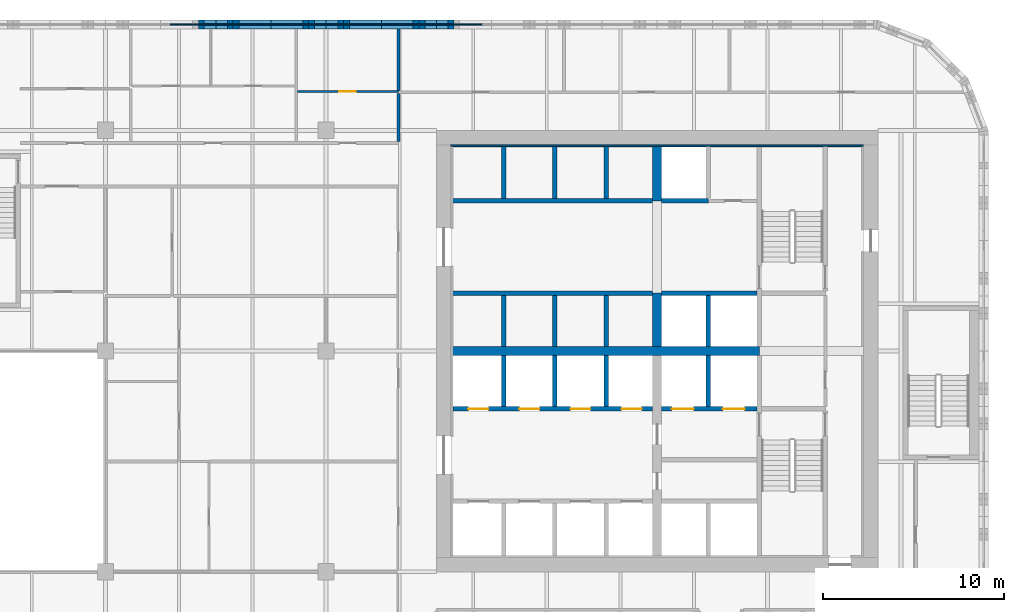
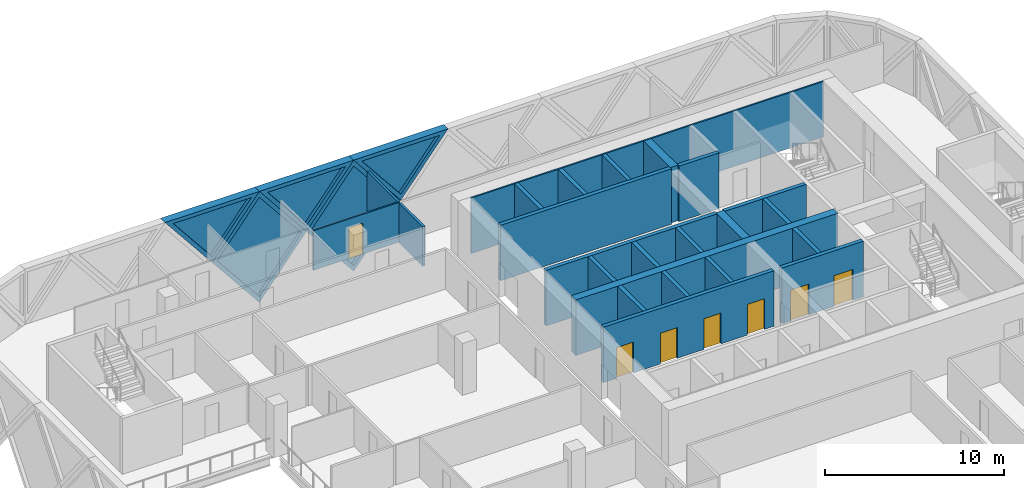
# One storey, part 12 of 24: 29 walls, 7 doors, 5 plates, 12 openings.
"""IFC4 building model written with IfcOpenShell, lengths in metres."""

from ifc_helpers import new_model, si_unit, direction, frame, frame_2d, origin, place, context, subcontext, project, spatial, polyline, rectangle, outline, extrude, faceted_brep, source, transform, mapped, material, layer, layer_set, type_object, element, fill, save


model = new_model("IFC4")

# Units and contexts
model_context = context("Model", 3, precision=1e-05, world=origin(), true_north=direction((0.0, 1.0)))
body_context = subcontext(model_context, "Body", "Model", "MODEL_VIEW")
ifc_project = project(units=[si_unit("LENGTHUNIT", "METRE"), si_unit("AREAUNIT", "SQUARE_METRE"), si_unit("VOLUMEUNIT", "CUBIC_METRE"), si_unit("PLANEANGLEUNIT", "RADIAN"), si_unit("MASSUNIT", "GRAM", prefix="KILO")], contexts=[model_context])

# Site, building, storey
site_placement = place(None, origin())
site = spatial("IfcSite", under=ifc_project, at=site_placement, CompositionType="ELEMENT")
building_placement = place(site_placement, origin())
building = spatial("IfcBuilding", under=site, at=building_placement, Name="Tessera Gate Towers", CompositionType="ELEMENT")
storey_placement = place(building_placement, frame((0.0, 0.0, 102.800048828125)))
storey = spatial("IfcBuildingStorey", under=building, at=storey_placement, Name="L25", CompositionType="ELEMENT", Elevation=102.800048828125)

# Wall, openings, doors
ifc_material_1 = material(Name="Concrete C40/50", Category="concrete")
ifc_layer_1 = layer(ifc_material_1, 0.25)
ifc_layer_set_1 = layer_set([ifc_layer_1], Name="CORE ENCLOSURE WALL 250")
wall_type_1 = type_object("IfcWallType", Name="CORE ENCLOSURE WALL 250", PredefinedType="SOLIDWALL", material=ifc_layer_set_1)
wall_1_placement = place(storey_placement, frame((42.449951171875, 33.39990234375, 0.0), z_axis=(0.0, 0.0, 1.0), x_axis=(-1.0, 0.0, 0.0)))
wall_1 = element("IfcWall", 1, at=wall_1_placement, inside=storey, type_object=wall_type_1, Name="L25 shaft and stair enclosure wall", PredefinedType="SOLIDWALL", context=body_context, shape_type="SweptSolid", body=[
    extrude(rectangle(XDim=11.050048828125, YDim=0.25, at=frame_2d((5.52490234375, 0.0))), origin(), (0.0, 0.0, 1.0), 3.800048828125),
])
shared_shape_1 = source(origin(), body_context, "Body", "SweptSolid", [
    extrude(rectangle(XDim=1.10009765625, YDim=2.10009765625, at=frame_2d((0.550048828125, 1.050048828125))), frame((0.0, 0.135009765625, 0.0), z_axis=(0.0, -1.0, 0.0), x_axis=(1.0, 0.0, 0.0)), (0.0, 0.0, 1.0), 0.27001953125),
])
opening_1_placement = place(wall_1_placement, frame((9.08740234375, 0.0, 0.0)))
opening_1 = element("IfcOpeningElement", 2, at=opening_1_placement, cuts=wall_1, Name="Opening LD-LR5", PredefinedType="OPENING", context=body_context, shape_type="MappedRepresentation", body=[
    mapped(shared_shape_1, transform((0.0, 0.0, 0.0), scale=1.0)),
])
opening_2_placement = place(wall_1_placement, frame((6.262451171875, 0.0, 0.0)))
opening_2 = element("IfcOpeningElement", 3, at=opening_2_placement, cuts=wall_1, Name="Opening LD-LR6", PredefinedType="OPENING", context=body_context, shape_type="MappedRepresentation", body=[
    mapped(shared_shape_1, transform((0.0, 0.0, 0.0), scale=1.0)),
])
opening_3_placement = place(wall_1_placement, frame((3.4375, 0.0, 0.0)))
opening_3 = element("IfcOpeningElement", 4, at=opening_3_placement, cuts=wall_1, Name="Opening LD-LR7", PredefinedType="OPENING", context=body_context, shape_type="MappedRepresentation", body=[
    mapped(shared_shape_1, transform((0.0, 0.0, 0.0), scale=1.0)),
])
opening_4_placement = place(wall_1_placement, frame((0.612548828125, 0.0, 0.0)))
opening_4 = element("IfcOpeningElement", 5, at=opening_4_placement, cuts=wall_1, Name="Opening LD-LR8", PredefinedType="OPENING", context=body_context, shape_type="MappedRepresentation", body=[
    mapped(shared_shape_1, transform((0.0, 0.0, 0.0), scale=1.0)),
])
ifc_material_2 = material(Name="Stainless steel", Category="steel")
door_type_1 = type_object("IfcDoorType", Name="CORE DOOR LD 1100x2100", OperationType="DOUBLE_DOOR_SLIDING", PredefinedType="DOOR", material=ifc_material_2)
shared_shape_2 = source(origin(), body_context, "Body", "SweptSolid", [
    extrude(rectangle(XDim=1.10009765625, YDim=2.10009765625, at=frame_2d((0.550048828125, 1.050048828125))), frame((0.0, 0.02490234375, 0.0), z_axis=(0.0, -1.0, 0.0), x_axis=(1.0, 0.0, 0.0)), (0.0, 0.0, 1.0), 0.050048828125),
])
door_1_placement = place(opening_1_placement, origin())
door_1 = element("IfcDoor", 6, at=door_1_placement, inside=storey, type_object=door_type_1, Name="Landing door LR5 L25", OperationType="DOUBLE_DOOR_SLIDING", OverallHeight=2.10009765625, OverallWidth=1.10009765625, PredefinedType="DOOR", context=body_context, shape_type="MappedRepresentation", body=[
    mapped(shared_shape_2, transform((0.0, 0.0, 0.0), scale=1.0)),
])
fill(opening_1, door_1)
door_2_placement = place(opening_2_placement, origin())
door_2 = element("IfcDoor", 7, at=door_2_placement, inside=storey, type_object=door_type_1, Name="Landing door LR6 L25", OperationType="DOUBLE_DOOR_SLIDING", OverallHeight=2.10009765625, OverallWidth=1.10009765625, PredefinedType="DOOR", context=body_context, shape_type="MappedRepresentation", body=[
    mapped(shared_shape_2, transform((0.0, 0.0, 0.0), scale=1.0)),
])
fill(opening_2, door_2)
door_3_placement = place(opening_3_placement, origin())
door_3 = element("IfcDoor", 8, at=door_3_placement, inside=storey, type_object=door_type_1, Name="Landing door LR7 L25", OperationType="DOUBLE_DOOR_SLIDING", OverallHeight=2.10009765625, OverallWidth=1.10009765625, PredefinedType="DOOR", context=body_context, shape_type="MappedRepresentation", body=[
    mapped(shared_shape_2, transform((0.0, 0.0, 0.0), scale=1.0)),
])
fill(opening_3, door_3)
door_4_placement = place(opening_4_placement, origin())
door_4 = element("IfcDoor", 9, at=door_4_placement, inside=storey, type_object=door_type_1, Name="Landing door LR8 L25", OperationType="DOUBLE_DOOR_SLIDING", OverallHeight=2.10009765625, OverallWidth=1.10009765625, PredefinedType="DOOR", context=body_context, shape_type="MappedRepresentation", body=[
    mapped(shared_shape_2, transform((0.0, 0.0, 0.0), scale=1.0)),
])
fill(opening_4, door_4)

wall_2_placement = place(storey_placement, frame((48.22509765625, 33.39990234375, 0.0), z_axis=(0.0, 0.0, 1.0), x_axis=(-1.0, 0.0, 0.0)))
wall_2 = element("IfcWall", 10, at=wall_2_placement, inside=storey, type_object=wall_type_1, Name="L25 shaft and stair enclosure wall", PredefinedType="SOLIDWALL", context=body_context, shape_type="SweptSolid", body=[
    extrude(rectangle(XDim=5.275146484375, YDim=0.25, at=frame_2d((2.6376953125, 0.0))), origin(), (0.0, 0.0, 1.0), 3.800048828125),
])
shared_shape_3 = source(origin(), body_context, "Body", "SweptSolid", [
    extrude(rectangle(XDim=1.199951171875, YDim=2.10009765625, at=frame_2d((0.60009765625, 1.050048828125))), frame((0.0, 0.135009765625, 0.0), z_axis=(0.0, -1.0, 0.0), x_axis=(1.0, 0.0, 0.0)), (0.0, 0.0, 1.0), 0.27001953125),
])
opening_5_placement = place(wall_2_placement, frame((3.512451171875, 0.0, 0.0)))
opening_5 = element("IfcOpeningElement", 11, at=opening_5_placement, cuts=wall_2, Name="Opening LD-FF1", PredefinedType="OPENING", context=body_context, shape_type="MappedRepresentation", body=[
    mapped(shared_shape_3, transform((0.0, 0.0, 0.0), scale=1.0)),
])
opening_6_placement = place(wall_2_placement, frame((0.6875, 0.0, 0.0)))
opening_6 = element("IfcOpeningElement", 12, at=opening_6_placement, cuts=wall_2, Name="Opening LD-FF2", PredefinedType="OPENING", context=body_context, shape_type="MappedRepresentation", body=[
    mapped(shared_shape_3, transform((0.0, 0.0, 0.0), scale=1.0)),
])
ifc_material_3 = material(Name="Stainless steel", Category="steel")
door_type_2 = type_object("IfcDoorType", Name="CORE DOOR LD1200 1200x2100", OperationType="DOUBLE_DOOR_SLIDING", PredefinedType="DOOR", material=ifc_material_3)
shared_shape_4 = source(origin(), body_context, "Body", "SweptSolid", [
    extrude(rectangle(XDim=1.199951171875, YDim=2.10009765625, at=frame_2d((0.60009765625, 1.050048828125))), frame((0.0, 0.02490234375, 0.0), z_axis=(0.0, -1.0, 0.0), x_axis=(1.0, 0.0, 0.0)), (0.0, 0.0, 1.0), 0.050048828125),
])
door_5_placement = place(opening_5_placement, origin())
door_5 = element("IfcDoor", 13, at=door_5_placement, inside=storey, type_object=door_type_2, Name="Landing door FF1 L25", OperationType="DOUBLE_DOOR_SLIDING", OverallHeight=2.10009765625, OverallWidth=1.199951171875, PredefinedType="DOOR", context=body_context, shape_type="MappedRepresentation", body=[
    mapped(shared_shape_4, transform((0.0, 0.0, 0.0), scale=1.0)),
])
fill(opening_5, door_5)
door_6_placement = place(opening_6_placement, origin())
door_6 = element("IfcDoor", 14, at=door_6_placement, inside=storey, type_object=door_type_2, Name="Landing door FF2 L25", OperationType="DOUBLE_DOOR_SLIDING", OverallHeight=2.10009765625, OverallWidth=1.199951171875, PredefinedType="DOOR", context=body_context, shape_type="MappedRepresentation", body=[
    mapped(shared_shape_4, transform((0.0, 0.0, 0.0), scale=1.0)),
])
fill(opening_6, door_6)

# Walls
wall_3_placement = place(storey_placement, frame((31.39990234375, 39.800048828125, 0.0), z_axis=(0.0, 0.0, 1.0), x_axis=(1.0, 0.0, 0.0)))
element("IfcWall", 15, at=wall_3_placement, inside=storey, type_object=wall_type_1, Name="L25 shaft and stair enclosure wall", PredefinedType="SOLIDWALL", context=body_context, shape_type="SweptSolid", body=[
    extrude(rectangle(XDim=11.050048828125, YDim=0.25, at=frame_2d((5.52490234375, 0.0))), origin(), (0.0, 0.0, 1.0), 3.800048828125),
])
wall_4_placement = place(storey_placement, frame((42.949951171875, 39.800048828125, 0.0), z_axis=(0.0, 0.0, 1.0), x_axis=(1.0, 0.0, 0.0)))
element("IfcWall", 16, at=wall_4_placement, inside=storey, type_object=wall_type_1, Name="L25 shaft and stair enclosure wall", PredefinedType="SOLIDWALL", context=body_context, shape_type="SweptSolid", body=[
    extrude(rectangle(XDim=5.275146484375, YDim=0.25, at=frame_2d((2.6376953125, 0.0))), origin(), (0.0, 0.0, 1.0), 3.800048828125),
])
wall_5_placement = place(storey_placement, frame((31.39990234375, 44.89990234375, 0.0), z_axis=(0.0, 0.0, 1.0), x_axis=(1.0, 0.0, 0.0)))
element("IfcWall", 17, at=wall_5_placement, inside=storey, type_object=wall_type_1, Name="L25 shaft and stair enclosure wall", PredefinedType="SOLIDWALL", context=body_context, shape_type="SweptSolid", body=[
    extrude(rectangle(XDim=11.050048828125, YDim=0.25, at=frame_2d((5.52490234375, 0.0))), origin(), (0.0, 0.0, 1.0), 3.800048828125),
])
wall_6_placement = place(storey_placement, frame((42.949951171875, 44.89990234375, 0.0), z_axis=(0.0, 0.0, 1.0), x_axis=(1.0, 0.0, 0.0)))
element("IfcWall", 18, at=wall_6_placement, inside=storey, type_object=wall_type_1, Name="L25 shaft and stair enclosure wall", PredefinedType="SOLIDWALL", context=body_context, shape_type="SweptSolid", body=[
    extrude(rectangle(XDim=2.574951171875, YDim=0.25, at=frame_2d((1.28759765625, 0.0))), origin(), (0.0, 0.0, 1.0), 3.800048828125),
])
wall_7_placement = place(storey_placement, frame((34.22509765625, 33.52490234375, 0.0), z_axis=(0.0, 0.0, 1.0), x_axis=(0.0, 1.0, 0.0)))
element("IfcWall", 19, at=wall_7_placement, inside=storey, type_object=wall_type_1, Name="L25 shaft and stair enclosure wall", PredefinedType="SOLIDWALL", context=body_context, shape_type="SweptSolid", body=[
    extrude(rectangle(XDim=2.8251953125, YDim=0.25, at=frame_2d((1.41259765625, 0.0))), origin(), (0.0, 0.0, 1.0), 3.800048828125),
])
wall_8_placement = place(storey_placement, frame((34.22509765625, 36.85009765625, 0.0), z_axis=(0.0, 0.0, 1.0), x_axis=(0.0, 1.0, 0.0)))
element("IfcWall", 20, at=wall_8_placement, inside=storey, type_object=wall_type_1, Name="L25 shaft and stair enclosure wall", PredefinedType="SOLIDWALL", context=body_context, shape_type="SweptSolid", body=[
    extrude(rectangle(XDim=2.824951171875, YDim=0.25, at=frame_2d((1.41259765625, 0.0))), origin(), (0.0, 0.0, 1.0), 3.800048828125),
])
wall_9_placement = place(storey_placement, frame((37.050048828125, 33.52490234375, 0.0), z_axis=(0.0, 0.0, 1.0), x_axis=(0.0, 1.0, 0.0)))
element("IfcWall", 21, at=wall_9_placement, inside=storey, type_object=wall_type_1, Name="L25 shaft and stair enclosure wall", PredefinedType="SOLIDWALL", context=body_context, shape_type="SweptSolid", body=[
    extrude(rectangle(XDim=2.8251953125, YDim=0.25, at=frame_2d((1.41259765625, 0.0))), origin(), (0.0, 0.0, 1.0), 3.800048828125),
])
wall_10_placement = place(storey_placement, frame((37.050048828125, 36.85009765625, 0.0), z_axis=(0.0, 0.0, 1.0), x_axis=(0.0, 1.0, 0.0)))
element("IfcWall", 22, at=wall_10_placement, inside=storey, type_object=wall_type_1, Name="L25 shaft and stair enclosure wall", PredefinedType="SOLIDWALL", context=body_context, shape_type="SweptSolid", body=[
    extrude(rectangle(XDim=2.824951171875, YDim=0.25, at=frame_2d((1.41259765625, 0.0))), origin(), (0.0, 0.0, 1.0), 3.800048828125),
])
wall_11_placement = place(storey_placement, frame((39.875, 33.52490234375, 0.0), z_axis=(0.0, 0.0, 1.0), x_axis=(0.0, 1.0, 0.0)))
element("IfcWall", 23, at=wall_11_placement, inside=storey, type_object=wall_type_1, Name="L25 shaft and stair enclosure wall", PredefinedType="SOLIDWALL", context=body_context, shape_type="SweptSolid", body=[
    extrude(rectangle(XDim=2.8251953125, YDim=0.25, at=frame_2d((1.41259765625, 0.0))), origin(), (0.0, 0.0, 1.0), 3.800048828125),
])
wall_12_placement = place(storey_placement, frame((39.875, 36.85009765625, 0.0), z_axis=(0.0, 0.0, 1.0), x_axis=(0.0, 1.0, 0.0)))
element("IfcWall", 24, at=wall_12_placement, inside=storey, type_object=wall_type_1, Name="L25 shaft and stair enclosure wall", PredefinedType="SOLIDWALL", context=body_context, shape_type="SweptSolid", body=[
    extrude(rectangle(XDim=2.824951171875, YDim=0.25, at=frame_2d((1.41259765625, 0.0))), origin(), (0.0, 0.0, 1.0), 3.800048828125),
])
wall_13_placement = place(storey_placement, frame((45.52490234375, 33.52490234375, 0.0), z_axis=(0.0, 0.0, 1.0), x_axis=(0.0, 1.0, 0.0)))
element("IfcWall", 25, at=wall_13_placement, inside=storey, type_object=wall_type_1, Name="L25 shaft and stair enclosure wall", PredefinedType="SOLIDWALL", context=body_context, shape_type="SweptSolid", body=[
    extrude(rectangle(XDim=2.8251953125, YDim=0.25, at=frame_2d((1.41259765625, 0.0))), origin(), (0.0, 0.0, 1.0), 3.800048828125),
])
wall_14_placement = place(storey_placement, frame((45.52490234375, 36.85009765625, 0.0), z_axis=(0.0, 0.0, 1.0), x_axis=(0.0, 1.0, 0.0)))
element("IfcWall", 26, at=wall_14_placement, inside=storey, type_object=wall_type_1, Name="L25 shaft and stair enclosure wall", PredefinedType="SOLIDWALL", context=body_context, shape_type="SweptSolid", body=[
    extrude(rectangle(XDim=2.824951171875, YDim=0.25, at=frame_2d((1.41259765625, 0.0))), origin(), (0.0, 0.0, 1.0), 3.800048828125),
])
for number, where, z_axis, x_axis, name in (
    (27, (34.22509765625, 45.02490234375, 0.0), (0.0, 0.0, 1.0), (0.0, 1.0, 0.0), "L25 shaft and stair enclosure wall"),
    (28, (37.050048828125, 45.02490234375, 0.0), (0.0, 0.0, 1.0), (0.0, 1.0, 0.0), "L25 shaft and stair enclosure wall"),
    (29, (39.875, 45.02490234375, 0.0), (0.0, 0.0, 1.0), (0.0, 1.0, 0.0), "L25 shaft and stair enclosure wall"),
):
    element("IfcWall", number, at=place(storey_placement, frame(where, z_axis=z_axis, x_axis=x_axis)), inside=storey, type_object=wall_type_1, Name=name, PredefinedType="SOLIDWALL", context=body_context, shape_type="SweptSolid", body=[
        extrude(rectangle(XDim=2.875, YDim=0.25, at=frame_2d((1.4375, 0.0))), origin(), (0.0, 0.0, 1.0), 3.800048828125),
    ])
ifc_material_4 = material(Name="Concrete C60/75", Category="concrete")
ifc_layer_2 = layer(ifc_material_4, 0.5)
ifc_layer_set_2 = layer_set([ifc_layer_2], Name="CORE SPINE WALL 500 C60/75")
wall_type_2 = type_object("IfcWallType", Name="CORE SPINE WALL 500 C60/75", PredefinedType="SHEAR", material=ifc_layer_set_2)
wall_15_placement = place(storey_placement, frame((31.39990234375, 36.60009765625, 0.0), z_axis=(0.0, 0.0, 1.0), x_axis=(1.0, 0.0, 0.0)))
element("IfcWall", 30, at=wall_15_placement, inside=storey, type_object=wall_type_2, Name="Core wall spine L25", PredefinedType="SHEAR", context=body_context, shape_type="SweptSolid", body=[
    extrude(rectangle(XDim=16.9501953125, YDim=0.5, at=frame_2d((8.47509765625, 0.0))), origin(), (0.0, 0.0, 1.0), 3.800048828125),
])
wall_16_placement = place(storey_placement, frame((42.699951171875, 36.85009765625, 0.0), z_axis=(0.0, 0.0, 1.0), x_axis=(0.0, 1.0, 0.0)))
element("IfcWall", 31, at=wall_16_placement, inside=storey, type_object=wall_type_2, Name="Core wall spine L25", PredefinedType="SHEAR", context=body_context, shape_type="SweptSolid", body=[
    extrude(rectangle(XDim=2.949951171875, YDim=0.5, at=frame_2d((1.47509765625, 0.0))), origin(), (0.0, 0.0, 1.0), 3.800048828125),
])
wall_17_placement = place(storey_placement, frame((42.699951171875, 44.89990234375, 0.0), z_axis=(0.0, 0.0, 1.0), x_axis=(0.0, 1.0, 0.0)))
element("IfcWall", 32, at=wall_17_placement, inside=storey, type_object=wall_type_2, Name="Core wall spine L25", PredefinedType="SHEAR", context=body_context, shape_type="SweptSolid", body=[
    extrude(rectangle(XDim=3.0, YDim=0.5, at=frame_2d((1.5, 0.0))), origin(), (0.0, 0.0, 1.0), 3.800048828125),
])
ifc_material_5 = material(Name="Concrete C60/75", Category="concrete")
ifc_layer_3 = layer(ifc_material_5, 0.10009765625)
ifc_layer_set_3 = layer_set([ifc_layer_3], Name="CORE WALL THICKENING 100")
wall_type_3 = type_object("IfcWallType", Name="CORE WALL THICKENING 100", PredefinedType="SOLIDWALL", material=ifc_layer_set_3)
wall_18_placement = place(storey_placement, frame((31.300048828125, 47.949951171875, 0.0), z_axis=(0.0, 0.0, 1.0), x_axis=(1.0, 0.0, 0.0)))
element("IfcWall", 33, at=wall_18_placement, inside=storey, type_object=wall_type_3, Name="Core wall thickening N L25", PredefinedType="SOLIDWALL", context=body_context, shape_type="SweptSolid", body=[
    extrude(rectangle(XDim=22.800048828125, YDim=0.10009765625, at=frame_2d((11.39990234375, 0.0))), origin(), (0.0, 0.0, 1.0), 3.800048828125),
])
ifc_material_6 = material(Name="Gypsum board on steel studs, mineral wool", Category="steel")
ifc_layer_4 = layer(ifc_material_6, 0.14990234375)
ifc_layer_set_4 = layer_set([ifc_layer_4], Name="CORRIDOR WALL 150")
wall_type_4 = type_object("IfcWallType", Name="CORRIDOR WALL 150", PredefinedType="PARTITIONING", material=ifc_layer_set_4)
wall_19_placement = place(storey_placement, frame((28.39990234375, 48.176025390625, 0.0), z_axis=(0.0, 0.0, 1.0), x_axis=(0.0, 1.0, 0.0)))
element("IfcWall", 34, at=wall_19_placement, inside=storey, type_object=wall_type_4, Name="T1-L25-PW-047", PredefinedType="PARTITIONING", context=body_context, shape_type="SweptSolid", body=[
    extrude(rectangle(XDim=2.64794921875, YDim=0.14990234375, at=frame_2d((1.323974609375, 0.0))), origin(), (0.0, 0.0, 1.0), 2.71484375),
])

# Wall, opening, door
ifc_material_7 = material(Name="Gypsum board on steel studs", Category="steel")
ifc_layer_5 = layer(ifc_material_7, 0.10009765625)
ifc_layer_set_5 = layer_set([ifc_layer_5], Name="PARTITION 100")
wall_type_5 = type_object("IfcWallType", Name="PARTITION 100", PredefinedType="PARTITIONING", material=ifc_layer_set_5)
wall_20_placement = place(storey_placement, frame((22.825927734375, 50.949951171875, 0.0), z_axis=(0.0, 0.0, 1.0), x_axis=(1.0, 0.0, 0.0)))
wall_20 = element("IfcWall", 35, at=wall_20_placement, inside=storey, type_object=wall_type_5, Name="T1-L25-PW-049", PredefinedType="PARTITIONING", context=body_context, shape_type="SweptSolid", body=[
    extrude(rectangle(XDim=5.572998046875, YDim=0.10009765625, at=frame_2d((2.78662109375, 0.0))), origin(), (0.0, 0.0, 1.0), 2.71484375),
])
shared_shape_5 = source(origin(), body_context, "Body", "SweptSolid", [
    extrude(rectangle(XDim=0.89990234375, YDim=2.10009765625, at=frame_2d((0.449951171875, 1.050048828125))), frame((0.0, 0.06005859375, 0.0), z_axis=(0.0, -1.0, 0.0), x_axis=(1.0, 0.0, 0.0)), (0.0, 0.0, 1.0), 0.1201171875),
])
opening_7_placement = place(wall_20_placement, frame((2.300048828125, 0.0, 0.0)))
opening_7 = element("IfcOpeningElement", 36, at=opening_7_placement, cuts=wall_20, Name="Opening D190-A09-06", PredefinedType="OPENING", context=body_context, shape_type="MappedRepresentation", body=[
    mapped(shared_shape_5, transform((0.0, 0.0, 0.0), scale=1.0)),
])
ifc_material_8 = material(Name="Timber door leaf in steel frame", Category="steel")
door_type_3 = type_object("IfcDoorType", Name="INTERNAL DOOR 900 NOT RATED", OperationType="NOTDEFINED", PredefinedType="DOOR", material=ifc_material_8)
shared_shape_6 = source(origin(), body_context, "Body", "SweptSolid", [
    extrude(rectangle(XDim=0.89990234375, YDim=2.10009765625, at=frame_2d((0.449951171875, 1.050048828125))), frame((0.0, 0.02490234375, 0.0), z_axis=(0.0, -1.0, 0.0), x_axis=(1.0, 0.0, 0.0)), (0.0, 0.0, 1.0), 0.050048828125),
])
door_7_placement = place(opening_7_placement, origin())
door_7 = element("IfcDoor", 37, at=door_7_placement, inside=storey, type_object=door_type_3, Name="T1-L25-PD-009", OperationType="SINGLE_SWING_LEFT", OverallHeight=2.10009765625, OverallWidth=0.89990234375, PredefinedType="DOOR", context=body_context, shape_type="MappedRepresentation", body=[
    mapped(shared_shape_6, transform((0.0, 0.0, 0.0), scale=1.0)),
])
fill(opening_7, door_7)

# Wall
ifc_material_9 = material(Name="Gypsum board on steel studs, mineral wool", Category="steel")
ifc_layer_6 = layer(ifc_material_9, 0.14990234375)
ifc_layer_set_6 = layer_set([ifc_layer_6], Name="TENANCY WALL 150")
wall_type_6 = type_object("IfcWallType", Name="TENANCY WALL 150", PredefinedType="PARTITIONING", material=ifc_layer_set_6)
wall_21_placement = place(storey_placement, frame((28.39990234375, 50.97607421875, 0.0), z_axis=(0.0, 0.0, 1.0), x_axis=(0.0, 1.0, 0.0)))
element("IfcWall", 38, at=wall_21_placement, inside=storey, type_object=wall_type_6, Name="T1-L25-PW-050", PredefinedType="PARTITIONING", context=body_context, shape_type="SweptSolid", body=[
    extrude(rectangle(XDim=3.423828125, YDim=0.14990234375, at=frame_2d((1.7119140625, 0.0))), origin(), (0.0, 0.0, 1.0), 2.71484375),
])

# Wall, opening, plate
ifc_material_10 = material(Name="Precast concrete C60/75 white", Category="concrete")
ifc_layer_7 = layer(ifc_material_10, 0.5)
ifc_layer_set_7 = layer_set([ifc_layer_7], Name="TS1 tessera")
wall_type_7 = type_object("IfcWallType", Name="TS1 tessera", PredefinedType="SOLIDWALL", material=ifc_layer_set_7)
shared_shape_7 = source(origin(), body_context, "Body", "Brep", [
    faceted_brep([(3.050048828125, -0.25, 0.0), (6.099853515625, -0.25, 3.7998046875), (6.099853515625, -0.25, 3.80029296875), (3.050048828125, -0.25, 7.60009765625), (0.0, -0.25, 3.800048828125), (0.0, 0.25, 3.800048828125), (3.050048828125, 0.25, 7.60009765625), (6.099853515625, 0.25, 3.80029296875), (6.099853515625, 0.25, 3.7998046875), (3.050048828125, 0.25, 0.0)], [[[0, 1, 2, 3, 4]], [[5, 6, 7, 8, 9]], [[9, 8, 1, 0]], [[7, 6, 3, 2]], [[6, 5, 4, 3]], [[5, 9, 0, 4]], [[1, 8, 7, 2]]]),
])
wall_22_placement = place(storey_placement, frame((24.39990234375, 54.64990234375, -3.800048828125), z_axis=(0.0, 0.0, 1.0), x_axis=(-1.0, 0.0, 0.0)))
wall_22 = element("IfcWall", 39, at=wall_22_placement, inside=storey, type_object=wall_type_7, Name="Precast tessera T1 TS1-0429", PredefinedType="SOLIDWALL", context=body_context, shape_type="MappedRepresentation", body=[
    mapped(shared_shape_7, transform((0.0, 0.0, 0.0), scale=1.0)),
])
shared_shape_8 = source(origin(), body_context, "Body", "SweptSolid", [
    extrude(outline(polyline([(3.050048828125, 0.3994140625), (5.779541015625, 3.800048828125), (3.050048828125, 7.20068359375), (0.320556640625, 3.800048828125), (3.050048828125, 0.3994140625)])), frame((0.0, 0.260009765625, 0.0), z_axis=(0.0, -1.0, 0.0), x_axis=(1.0, 0.0, 0.0)), (0.0, 0.0, 1.0), 0.52001953125),
])
opening_8_placement = place(wall_22_placement, origin())
opening_8 = element("IfcOpeningElement", 40, at=opening_8_placement, cuts=wall_22, Name="Opening T1-PL2-0869", PredefinedType="OPENING", context=body_context, shape_type="MappedRepresentation", body=[
    mapped(shared_shape_8, transform((0.0, 0.0, 0.0), scale=1.0)),
])
ifc_material_11 = material(Name="Low-e laminated glass", Category="glass")
ifc_layer_8 = layer(ifc_material_11, 0.06005859375)
ifc_layer_set_8 = layer_set([ifc_layer_8], Name="PL2 rhombic pane")
plate_type_1 = type_object("IfcPlateType", Name="PL2 rhombic pane", PredefinedType="SHEET", material=ifc_layer_set_8)
shared_shape_9 = source(origin(), body_context, "Body", "SweptSolid", [
    extrude(outline(polyline([(3.050048828125, 0.3994140625), (5.779541015625, 3.800048828125), (3.050048828125, 7.20068359375), (0.320556640625, 3.800048828125), (3.050048828125, 0.3994140625)])), frame((0.0, 0.030029296875, 0.0), z_axis=(0.0, -1.0, 0.0), x_axis=(1.0, 0.0, 0.0)), (0.0, 0.0, 1.0), 0.06005859375),
])
plate_1_placement = place(opening_8_placement, origin())
plate_1 = element("IfcPlate", 41, at=plate_1_placement, inside=storey, type_object=plate_type_1, Name="Glass pane T1 PL2-0869", PredefinedType="SHEET", context=body_context, shape_type="MappedRepresentation", body=[
    mapped(shared_shape_9, transform((0.0, 0.0, 0.0), scale=1.0)),
])
fill(opening_8, plate_1)

shared_shape_10 = source(origin(), body_context, "Body", "SweptSolid", [
    extrude(outline(polyline([(3.050048828125, 0.0), (6.10009765625, 3.800048828125), (3.050048828125, 7.60009765625), (0.0, 3.800048828125), (3.050048828125, 0.0)])), frame((0.0, 0.25, 0.0), z_axis=(0.0, -1.0, 0.0), x_axis=(1.0, 0.0, 0.0)), (0.0, 0.0, 1.0), 0.5),
])
wall_23_placement = place(storey_placement, frame((30.5, 54.64990234375, -3.800048828125), z_axis=(0.0, 0.0, 1.0), x_axis=(-1.0, 0.0, 0.0)))
wall_23 = element("IfcWall", 42, at=wall_23_placement, inside=storey, type_object=wall_type_7, Name="Precast tessera T1 TS1-0428", PredefinedType="SOLIDWALL", context=body_context, shape_type="MappedRepresentation", body=[
    mapped(shared_shape_10, transform((0.0, 0.0, 0.0), scale=1.0)),
])
opening_9_placement = place(wall_23_placement, origin())
opening_9 = element("IfcOpeningElement", 43, at=opening_9_placement, cuts=wall_23, Name="Opening T1-PL2-0868", PredefinedType="OPENING", context=body_context, shape_type="MappedRepresentation", body=[
    mapped(shared_shape_8, transform((0.0, 0.0, 0.0), scale=1.0)),
])
plate_2_placement = place(opening_9_placement, origin())
plate_2 = element("IfcPlate", 44, at=plate_2_placement, inside=storey, type_object=plate_type_1, Name="Glass pane T1 PL2-0868", PredefinedType="SHEET", context=body_context, shape_type="MappedRepresentation", body=[
    mapped(shared_shape_9, transform((0.0, 0.0, 0.0), scale=1.0)),
])
fill(opening_9, plate_2)

ifc_material_12 = material(Name="Precast concrete C60/75 white", Category="concrete")
ifc_layer_9 = layer(ifc_material_12, 0.5)
ifc_layer_set_9 = layer_set([ifc_layer_9], Name="TS2 half tessera")
wall_type_8 = type_object("IfcWallType", Name="TS2 half tessera", PredefinedType="SOLIDWALL", material=ifc_layer_set_9)
shared_shape_11 = source(origin(), body_context, "Body", "Brep", [
    faceted_brep([(3.050048828125, -0.25, 0.0), (6.099853515625, -0.25, 3.7998046875), (6.099853515625, -0.25, 3.800048828125), (0.0, -0.25, 3.800048828125), (0.0, 0.25, 3.800048828125), (6.099853515625, 0.25, 3.800048828125), (6.099853515625, 0.25, 3.7998046875), (3.050048828125, 0.25, 0.0)], [[[0, 1, 2, 3]], [[4, 5, 6, 7]], [[7, 6, 1, 0]], [[5, 4, 3, 2]], [[4, 7, 0, 3]], [[1, 6, 5, 2]]]),
])
wall_24_placement = place(storey_placement, frame((27.449951171875, 54.64990234375, 0.0), z_axis=(0.0, 0.0, 1.0), x_axis=(-1.0, 0.0, 0.0)))
wall_24 = element("IfcWall", 45, at=wall_24_placement, inside=storey, type_object=wall_type_8, Name="Precast half tessera T1 TS2-0129", PredefinedType="SOLIDWALL", context=body_context, shape_type="MappedRepresentation", body=[
    mapped(shared_shape_11, transform((0.0, 0.0, 0.0), scale=1.0)),
])
shared_shape_12 = source(origin(), body_context, "Body", "SweptSolid", [
    extrude(outline(polyline([(3.050048828125, 0.3994140625), (5.578857421875, 3.550048828125), (0.521240234375, 3.550048828125), (3.050048828125, 0.3994140625)])), frame((0.0, 0.260009765625, 0.0), z_axis=(0.0, -1.0, 0.0), x_axis=(1.0, 0.0, 0.0)), (0.0, 0.0, 1.0), 0.52001953125),
])
opening_10_placement = place(wall_24_placement, origin())
opening_10 = element("IfcOpeningElement", 46, at=opening_10_placement, cuts=wall_24, Name="Opening T1-PL1-0259", PredefinedType="OPENING", context=body_context, shape_type="MappedRepresentation", body=[
    mapped(shared_shape_12, transform((0.0, 0.0, 0.0), scale=1.0)),
])
ifc_material_13 = material(Name="Low-e laminated glass", Category="glass")
ifc_layer_10 = layer(ifc_material_13, 0.06005859375)
ifc_layer_set_10 = layer_set([ifc_layer_10], Name="PL1 triangular pane")
plate_type_2 = type_object("IfcPlateType", Name="PL1 triangular pane", PredefinedType="SHEET", material=ifc_layer_set_10)
shared_shape_13 = source(origin(), body_context, "Body", "SweptSolid", [
    extrude(outline(polyline([(3.050048828125, 0.3994140625), (5.578857421875, 3.550048828125), (0.521240234375, 3.550048828125), (3.050048828125, 0.3994140625)])), frame((0.0, 0.030029296875, 0.0), z_axis=(0.0, -1.0, 0.0), x_axis=(1.0, 0.0, 0.0)), (0.0, 0.0, 1.0), 0.06005859375),
])
plate_3_placement = place(opening_10_placement, origin())
plate_3 = element("IfcPlate", 47, at=plate_3_placement, inside=storey, type_object=plate_type_2, Name="Glass pane T1 PL1-0259", PredefinedType="SHEET", context=body_context, shape_type="MappedRepresentation", body=[
    mapped(shared_shape_13, transform((0.0, 0.0, 0.0), scale=1.0)),
])
fill(opening_10, plate_3)

shared_shape_14 = source(origin(), body_context, "Body", "SweptSolid", [
    extrude(outline(polyline([(3.050048828125, 0.0), (6.10009765625, 3.800048828125), (0.0, 3.800048828125), (3.050048828125, 0.0)])), frame((0.0, 0.25, 0.0), z_axis=(0.0, -1.0, 0.0), x_axis=(1.0, 0.0, 0.0)), (0.0, 0.0, 1.0), 0.5),
])
wall_25_placement = place(storey_placement, frame((33.550048828125, 54.64990234375, 0.0), z_axis=(0.0, 0.0, 1.0), x_axis=(-1.0, 0.0, 0.0)))
wall_25 = element("IfcWall", 48, at=wall_25_placement, inside=storey, type_object=wall_type_8, Name="Precast half tessera T1 TS2-0128", PredefinedType="SOLIDWALL", context=body_context, shape_type="MappedRepresentation", body=[
    mapped(shared_shape_14, transform((0.0, 0.0, 0.0), scale=1.0)),
])
opening_11_placement = place(wall_25_placement, origin())
opening_11 = element("IfcOpeningElement", 49, at=opening_11_placement, cuts=wall_25, Name="Opening T1-PL1-0258", PredefinedType="OPENING", context=body_context, shape_type="MappedRepresentation", body=[
    mapped(shared_shape_12, transform((0.0, 0.0, 0.0), scale=1.0)),
])
plate_4_placement = place(opening_11_placement, origin())
plate_4 = element("IfcPlate", 50, at=plate_4_placement, inside=storey, type_object=plate_type_2, Name="Glass pane T1 PL1-0258", PredefinedType="SHEET", context=body_context, shape_type="MappedRepresentation", body=[
    mapped(shared_shape_13, transform((0.0, 0.0, 0.0), scale=1.0)),
])
fill(opening_11, plate_4)

wall_26_placement = place(storey_placement, frame((21.35009765625, 54.64990234375, 0.0), z_axis=(0.0, 0.0, 1.0), x_axis=(-1.0, 0.0, 0.0)))
wall_26 = element("IfcWall", 51, at=wall_26_placement, inside=storey, type_object=wall_type_8, Name="Precast half tessera T1 TS2-0130", PredefinedType="SOLIDWALL", context=body_context, shape_type="MappedRepresentation", body=[
    mapped(shared_shape_14, transform((0.0, 0.0, 0.0), scale=1.0)),
])
opening_12_placement = place(wall_26_placement, origin())
opening_12 = element("IfcOpeningElement", 52, at=opening_12_placement, cuts=wall_26, Name="Opening T1-PL1-0260", PredefinedType="OPENING", context=body_context, shape_type="MappedRepresentation", body=[
    mapped(shared_shape_12, transform((0.0, 0.0, 0.0), scale=1.0)),
])
plate_5_placement = place(opening_12_placement, origin())
plate_5 = element("IfcPlate", 53, at=plate_5_placement, inside=storey, type_object=plate_type_2, Name="Glass pane T1 PL1-0260", PredefinedType="SHEET", context=body_context, shape_type="MappedRepresentation", body=[
    mapped(shared_shape_13, transform((0.0, 0.0, 0.0), scale=1.0)),
])
fill(opening_12, plate_5)

save(model, "model.ifc")
